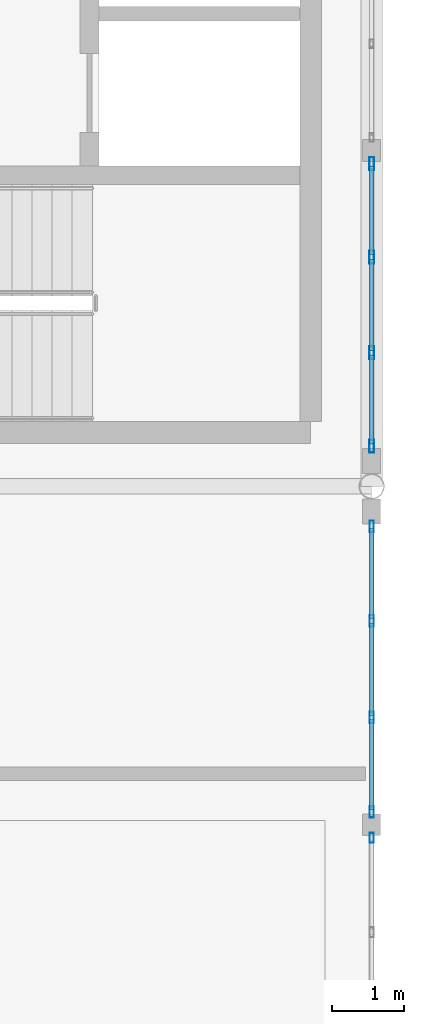
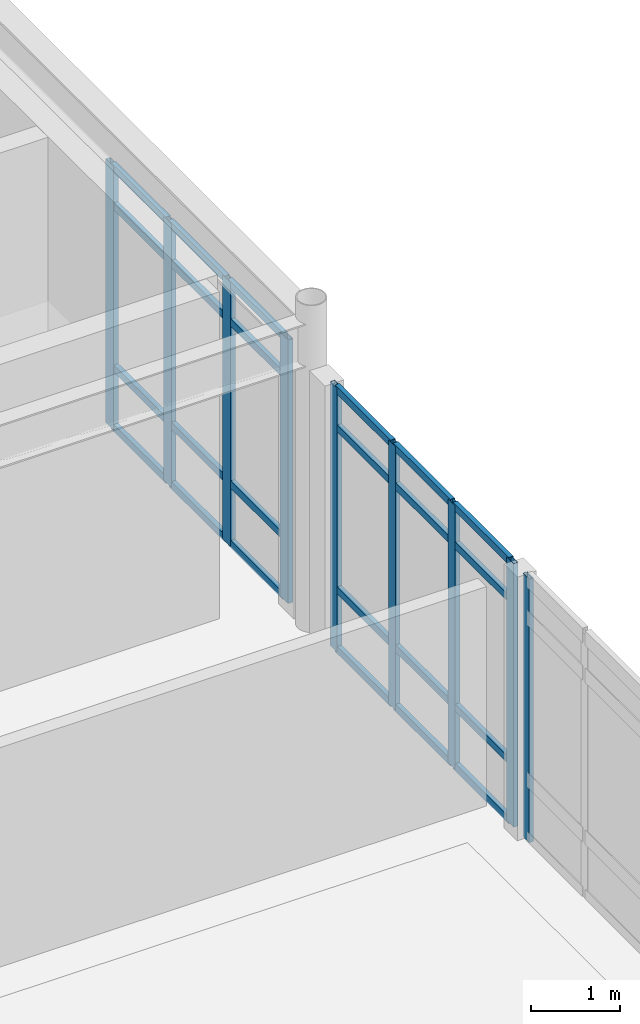
# One storey, part 38 of 55: 33 members, 3 elements without a shape of their own.
"""IFC4 building model written with IfcOpenShell, lengths in metres."""

from ifc_helpers import new_model, si_unit, direction, frame, origin, origin_2d, place, context, subcontext, project, spatial, hollow_rectangle, extrude, material, layer, layer_set, material_profile, profile_set, type_object, element, aggregate, save


model = new_model("IFC4")

# Units and contexts
model_context = context("Model", 3, precision=1e-05, world=origin(), true_north=direction((0.0, 1.0)))
body_context = subcontext(model_context, "Body", "Model", "MODEL_VIEW")
ifc_project = project(units=[si_unit("LENGTHUNIT", "METRE"), si_unit("AREAUNIT", "SQUARE_METRE"), si_unit("VOLUMEUNIT", "CUBIC_METRE"), si_unit("PLANEANGLEUNIT", "RADIAN"), si_unit("MASSUNIT", "GRAM", prefix="KILO")], contexts=[model_context])

# Site, building, storey
site_placement = place(None, origin())
site = spatial("IfcSite", under=ifc_project, at=site_placement, CompositionType="ELEMENT")
building_placement = place(site_placement, origin())
building = spatial("IfcBuilding", under=site, at=building_placement, Name="Fikremerkos Civic Library", CompositionType="ELEMENT")
storey_placement = place(building_placement, frame((0.0, 0.0, 18.89990234375)))
storey = spatial("IfcBuildingStorey", under=building, at=storey_placement, Name="L04", CompositionType="ELEMENT", Elevation=18.89990234375)

# Curtain wall, members
ifc_material = material(Name="Anodized aluminium Frame", Category="aluminium")
ifc_layer_1 = layer(ifc_material, 0.159912109375, Name="Anodized aluminium Frame")
ifc_layer_set_1 = layer_set([ifc_layer_1], Name="Anodized aluminium Frame")
curtain_wall_type_1 = type_object("IfcCurtainWallType", Name="Unitised curtain wall CW-13 3700x3200", PredefinedType="USERDEFINED", material=ifc_layer_set_1)
curtain_wall_1_placement = place(storey_placement, origin())
curtain_wall_1 = element("IfcCurtainWall", 1, at=curtain_wall_1_placement, inside=storey, type_object=curtain_wall_type_1, Name="Unitised curtain wall CW-13 L04 #211", ObjectType="UNITISED CURTAIN WALL", PredefinedType="USERDEFINED")
ifc_material_profile_1 = material_profile(ifc_material, hollow_rectangle(XDim=0.06494140625, YDim=0.179931640625, WallThickness=0.00439453125, at=origin_2d()), Name="ALU 180x65x4.5")
ifc_profile_set_1 = profile_set([ifc_material_profile_1], Name="Anodized aluminium Frame")
member_type_1 = type_object("IfcMemberType", Name="Curtain mullion CWM-01 ALU 180x65x4.5", PredefinedType="MULLION", material=ifc_profile_set_1)
member_1_placement = place(storey_placement, frame((113.699951171875, 26.093994140625, 0.0), z_axis=(0.0, 0.0, 1.0), x_axis=(1.0, 0.0, 0.0)))
member_1 = element("IfcMember", 2, at=member_1_placement, type_object=member_type_1, Name="CW-13 mullion 1", PredefinedType="MULLION", context=body_context, shape_type="SweptSolid", body=[
    extrude(hollow_rectangle(XDim=0.06494140625, YDim=0.179931640625, WallThickness=0.00439453125, at=origin_2d()), origin(), (0.0, 0.0, 1.0), 3.630126953125),
])
member_2_placement = place(storey_placement, frame((113.699951171875, 24.79296875, 0.0), z_axis=(0.0, 0.0, 1.0), x_axis=(1.0, 0.0, 0.0)))
member_2 = element("IfcMember", 3, at=member_2_placement, type_object=member_type_1, Name="CW-13 mullion 2", PredefinedType="MULLION", context=body_context, shape_type="SweptSolid", body=[
    extrude(hollow_rectangle(XDim=0.06494140625, YDim=0.179931640625, WallThickness=0.00439453125, at=origin_2d()), origin(), (0.0, 0.0, 1.0), 3.630126953125),
])
member_3_placement = place(storey_placement, frame((113.699951171875, 23.459228515625, 0.0), z_axis=(0.0, 0.0, 1.0), x_axis=(1.0, 0.0, 0.0)))
member_3 = element("IfcMember", 4, at=member_3_placement, type_object=member_type_1, Name="CW-13 mullion 3", PredefinedType="MULLION", context=body_context, shape_type="SweptSolid", body=[
    extrude(hollow_rectangle(XDim=0.06494140625, YDim=0.179931640625, WallThickness=0.00439453125, at=origin_2d()), origin(), (0.0, 0.0, 1.0), 3.630126953125),
])
member_4_placement = place(storey_placement, frame((113.699951171875, 22.158203125, 0.0), z_axis=(0.0, 0.0, 1.0), x_axis=(1.0, 0.0, 0.0)))
member_4 = element("IfcMember", 5, at=member_4_placement, type_object=member_type_1, Name="CW-13 mullion 4", PredefinedType="MULLION", context=body_context, shape_type="SweptSolid", body=[
    extrude(hollow_rectangle(XDim=0.06494140625, YDim=0.179931640625, WallThickness=0.00439453125, at=origin_2d()), origin(), (0.0, 0.0, 1.0), 3.630126953125),
])

ifc_layer_2 = layer(ifc_material, 0.159912109375, Name="Anodized aluminium Frame")
ifc_layer_set_2 = layer_set([ifc_layer_2], Name="Anodized aluminium Frame")
curtain_wall_type_2 = type_object("IfcCurtainWallType", Name="Unitised curtain wall CW-14 4100x3200", PredefinedType="USERDEFINED", material=ifc_layer_set_2)
curtain_wall_2_placement = place(storey_placement, origin())
curtain_wall_2 = element("IfcCurtainWall", 6, at=curtain_wall_2_placement, inside=storey, type_object=curtain_wall_type_2, Name="Unitised curtain wall CW-14 L04 #212", ObjectType="UNITISED CURTAIN WALL", PredefinedType="USERDEFINED")
ifc_material_profile_2 = material_profile(ifc_material, hollow_rectangle(XDim=0.06005859375, YDim=0.159912109375, WallThickness=0.00390625, at=origin_2d()), Name="ALU 160x60x4")
ifc_profile_set_2 = profile_set([ifc_material_profile_2], Name="Anodized aluminium Frame")
member_type_2 = type_object("IfcMemberType", Name="Curtain mullion CWM-02 ALU 160x60x4", PredefinedType="MULLION", material=ifc_profile_set_2)
member_5_placement = place(storey_placement, frame((113.699951171875, 21.044189453125, 0.0), z_axis=(0.0, 0.0, 1.0), x_axis=(1.0, 0.0, 0.0)))
member_5 = element("IfcMember", 7, at=member_5_placement, type_object=member_type_2, Name="CW-14 mullion 1", PredefinedType="MULLION", context=body_context, shape_type="SweptSolid", body=[
    extrude(hollow_rectangle(XDim=0.06005859375, YDim=0.159912109375, WallThickness=0.00390625, at=origin_2d()), origin(), (0.0, 0.0, 1.0), 3.630126953125),
])
member_6_placement = place(storey_placement, frame((113.699951171875, 19.728271484375, 0.0), z_axis=(0.0, 0.0, 1.0), x_axis=(1.0, 0.0, 0.0)))
member_6 = element("IfcMember", 8, at=member_6_placement, type_object=member_type_2, Name="CW-14 mullion 2", PredefinedType="MULLION", context=body_context, shape_type="SweptSolid", body=[
    extrude(hollow_rectangle(XDim=0.06005859375, YDim=0.159912109375, WallThickness=0.00390625, at=origin_2d()), origin(), (0.0, 0.0, 1.0), 3.630126953125),
])
member_7_placement = place(storey_placement, frame((113.699951171875, 18.382080078125, 0.0), z_axis=(0.0, 0.0, 1.0), x_axis=(1.0, 0.0, 0.0)))
member_7 = element("IfcMember", 9, at=member_7_placement, type_object=member_type_2, Name="CW-14 mullion 3", PredefinedType="MULLION", context=body_context, shape_type="SweptSolid", body=[
    extrude(hollow_rectangle(XDim=0.06005859375, YDim=0.159912109375, WallThickness=0.00390625, at=origin_2d()), origin(), (0.0, 0.0, 1.0), 3.630126953125),
])
member_8_placement = place(storey_placement, frame((113.699951171875, 17.066162109375, 0.0), z_axis=(0.0, 0.0, 1.0), x_axis=(1.0, 0.0, 0.0)))
member_8 = element("IfcMember", 10, at=member_8_placement, type_object=member_type_2, Name="CW-14 mullion 4", PredefinedType="MULLION", context=body_context, shape_type="SweptSolid", body=[
    extrude(hollow_rectangle(XDim=0.06005859375, YDim=0.159912109375, WallThickness=0.00390625, at=origin_2d()), origin(), (0.0, 0.0, 1.0), 3.630126953125),
])

# Curtain wall, member
ifc_layer_3 = layer(ifc_material, 0.159912109375, Name="Anodized aluminium Frame")
ifc_layer_set_3 = layer_set([ifc_layer_3], Name="Anodized aluminium Frame")
curtain_wall_type_3 = type_object("IfcCurtainWallType", Name="Unitised curtain wall CW-15 2900x3600", PredefinedType="USERDEFINED", material=ifc_layer_set_3)
curtain_wall_3_placement = place(storey_placement, origin())
curtain_wall_3 = element("IfcCurtainWall", 11, at=curtain_wall_3_placement, inside=storey, type_object=curtain_wall_type_3, Name="Unitised curtain wall CW-15 L04 #213", ObjectType="UNITISED CURTAIN WALL", PredefinedType="USERDEFINED")
ifc_material_profile_3 = material_profile(ifc_material, hollow_rectangle(XDim=0.06005859375, YDim=0.139892578125, WallThickness=0.00390625, at=origin_2d()), Name="ALU 140x60x4")
ifc_profile_set_3 = profile_set([ifc_material_profile_3], Name="Anodized aluminium Frame")
member_type_3 = type_object("IfcMemberType", Name="Curtain mullion CWM-03 ALU 140x60x4", PredefinedType="MULLION", material=ifc_profile_set_3)
member_9_placement = place(storey_placement, frame((113.699951171875, 16.7060546875, 0.0), z_axis=(0.0, 0.0, 1.0), x_axis=(1.0, 0.0, 0.0)))
member_9 = element("IfcMember", 12, at=member_9_placement, type_object=member_type_3, Name="CW-15 mullion 1", PredefinedType="MULLION", context=body_context, shape_type="SweptSolid", body=[
    extrude(hollow_rectangle(XDim=0.06005859375, YDim=0.139892578125, WallThickness=0.00390625, at=origin_2d()), origin(), (0.0, 0.0, 1.0), 3.630126953125),
])
aggregate(curtain_wall_3, [member_9])

# Member
ifc_material_profile_4 = material_profile(ifc_material, hollow_rectangle(XDim=0.06005859375, YDim=0.10009765625, WallThickness=0.00390625, at=origin_2d()), Name="ALU 100x60x4")
ifc_profile_set_4 = profile_set([ifc_material_profile_4], Name="Anodized aluminium Frame")
member_type_4 = type_object("IfcMemberType", Name="Curtain transom CWT-03 ALU 100x60x4", PredefinedType="USERDEFINED", material=ifc_profile_set_4)
member_10_placement = place(storey_placement, frame((113.699951171875, 26.061279296875, 0.030029296875), z_axis=(0.0, -1.0, 0.0), x_axis=(1.0, 0.0, 0.0)))
member_10 = element("IfcMember", 13, at=member_10_placement, type_object=member_type_4, Name="CW-13 transom 1.1", ObjectType="TRANSOM", PredefinedType="USERDEFINED", context=body_context, shape_type="SweptSolid", body=[
    extrude(hollow_rectangle(XDim=0.06005859375, YDim=0.10009765625, WallThickness=0.00390625, at=origin_2d()), origin(), (0.0, 0.0, 1.0), 1.23583984375),
])

member_11_placement = place(storey_placement, frame((113.699951171875, 26.061279296875, 0.85009765625), z_axis=(0.0, -1.0, 0.0), x_axis=(1.0, 0.0, 0.0)))
member_11 = element("IfcMember", 14, at=member_11_placement, type_object=member_type_4, Name="CW-13 transom 1.2", ObjectType="TRANSOM", PredefinedType="USERDEFINED", context=body_context, shape_type="SweptSolid", body=[
    extrude(hollow_rectangle(XDim=0.06005859375, YDim=0.10009765625, WallThickness=0.00390625, at=origin_2d()), origin(), (0.0, 0.0, 1.0), 1.23583984375),
])

member_12_placement = place(storey_placement, frame((113.699951171875, 26.061279296875, 3.080078125), z_axis=(0.0, -1.0, 0.0), x_axis=(1.0, 0.0, 0.0)))
member_12 = element("IfcMember", 15, at=member_12_placement, type_object=member_type_4, Name="CW-13 transom 1.3", ObjectType="TRANSOM", PredefinedType="USERDEFINED", context=body_context, shape_type="SweptSolid", body=[
    extrude(hollow_rectangle(XDim=0.06005859375, YDim=0.10009765625, WallThickness=0.00390625, at=origin_2d()), origin(), (0.0, 0.0, 1.0), 1.23583984375),
])

member_13_placement = place(storey_placement, frame((113.699951171875, 26.061279296875, 3.60009765625), z_axis=(0.0, -1.0, 0.0), x_axis=(1.0, 0.0, 0.0)))
member_13 = element("IfcMember", 16, at=member_13_placement, type_object=member_type_4, Name="CW-13 transom 1.4", ObjectType="TRANSOM", PredefinedType="USERDEFINED", context=body_context, shape_type="SweptSolid", body=[
    extrude(hollow_rectangle(XDim=0.06005859375, YDim=0.10009765625, WallThickness=0.00390625, at=origin_2d()), origin(), (0.0, 0.0, 1.0), 1.23583984375),
])

member_14_placement = place(storey_placement, frame((113.699951171875, 24.76025390625, 0.030029296875), z_axis=(0.0, -1.0, 0.0), x_axis=(1.0, 0.0, 0.0)))
member_14 = element("IfcMember", 17, at=member_14_placement, type_object=member_type_4, Name="CW-13 transom 2.1", ObjectType="TRANSOM", PredefinedType="USERDEFINED", context=body_context, shape_type="SweptSolid", body=[
    extrude(hollow_rectangle(XDim=0.06005859375, YDim=0.10009765625, WallThickness=0.00390625, at=origin_2d()), origin(), (0.0, 0.0, 1.0), 1.268310546875),
])

member_15_placement = place(storey_placement, frame((113.699951171875, 24.76025390625, 0.85009765625), z_axis=(0.0, -1.0, 0.0), x_axis=(1.0, 0.0, 0.0)))
member_15 = element("IfcMember", 18, at=member_15_placement, type_object=member_type_4, Name="CW-13 transom 2.2", ObjectType="TRANSOM", PredefinedType="USERDEFINED", context=body_context, shape_type="SweptSolid", body=[
    extrude(hollow_rectangle(XDim=0.06005859375, YDim=0.10009765625, WallThickness=0.00390625, at=origin_2d()), origin(), (0.0, 0.0, 1.0), 1.268310546875),
])

member_16_placement = place(storey_placement, frame((113.699951171875, 24.76025390625, 3.080078125), z_axis=(0.0, -1.0, 0.0), x_axis=(1.0, 0.0, 0.0)))
member_16 = element("IfcMember", 19, at=member_16_placement, type_object=member_type_4, Name="CW-13 transom 2.3", ObjectType="TRANSOM", PredefinedType="USERDEFINED", context=body_context, shape_type="SweptSolid", body=[
    extrude(hollow_rectangle(XDim=0.06005859375, YDim=0.10009765625, WallThickness=0.00390625, at=origin_2d()), origin(), (0.0, 0.0, 1.0), 1.268310546875),
])

member_17_placement = place(storey_placement, frame((113.699951171875, 24.76025390625, 3.60009765625), z_axis=(0.0, -1.0, 0.0), x_axis=(1.0, 0.0, 0.0)))
member_17 = element("IfcMember", 20, at=member_17_placement, type_object=member_type_4, Name="CW-13 transom 2.4", ObjectType="TRANSOM", PredefinedType="USERDEFINED", context=body_context, shape_type="SweptSolid", body=[
    extrude(hollow_rectangle(XDim=0.06005859375, YDim=0.10009765625, WallThickness=0.00390625, at=origin_2d()), origin(), (0.0, 0.0, 1.0), 1.268310546875),
])

member_18_placement = place(storey_placement, frame((113.699951171875, 23.4267578125, 0.030029296875), z_axis=(0.0, -1.0, 0.0), x_axis=(1.0, 0.0, 0.0)))
member_18 = element("IfcMember", 21, at=member_18_placement, type_object=member_type_4, Name="CW-13 transom 3.1", ObjectType="TRANSOM", PredefinedType="USERDEFINED", context=body_context, shape_type="SweptSolid", body=[
    extrude(hollow_rectangle(XDim=0.06005859375, YDim=0.10009765625, WallThickness=0.00390625, at=origin_2d()), origin(), (0.0, 0.0, 1.0), 1.23583984375),
])

member_19_placement = place(storey_placement, frame((113.699951171875, 23.4267578125, 0.85009765625), z_axis=(0.0, -1.0, 0.0), x_axis=(1.0, 0.0, 0.0)))
member_19 = element("IfcMember", 22, at=member_19_placement, type_object=member_type_4, Name="CW-13 transom 3.2", ObjectType="TRANSOM", PredefinedType="USERDEFINED", context=body_context, shape_type="SweptSolid", body=[
    extrude(hollow_rectangle(XDim=0.06005859375, YDim=0.10009765625, WallThickness=0.00390625, at=origin_2d()), origin(), (0.0, 0.0, 1.0), 1.23583984375),
])

member_20_placement = place(storey_placement, frame((113.699951171875, 23.4267578125, 3.080078125), z_axis=(0.0, -1.0, 0.0), x_axis=(1.0, 0.0, 0.0)))
member_20 = element("IfcMember", 23, at=member_20_placement, type_object=member_type_4, Name="CW-13 transom 3.3", ObjectType="TRANSOM", PredefinedType="USERDEFINED", context=body_context, shape_type="SweptSolid", body=[
    extrude(hollow_rectangle(XDim=0.06005859375, YDim=0.10009765625, WallThickness=0.00390625, at=origin_2d()), origin(), (0.0, 0.0, 1.0), 1.23583984375),
])

member_21_placement = place(storey_placement, frame((113.699951171875, 23.4267578125, 3.60009765625), z_axis=(0.0, -1.0, 0.0), x_axis=(1.0, 0.0, 0.0)))
member_21 = element("IfcMember", 24, at=member_21_placement, type_object=member_type_4, Name="CW-13 transom 3.4", ObjectType="TRANSOM", PredefinedType="USERDEFINED", context=body_context, shape_type="SweptSolid", body=[
    extrude(hollow_rectangle(XDim=0.06005859375, YDim=0.10009765625, WallThickness=0.00390625, at=origin_2d()), origin(), (0.0, 0.0, 1.0), 1.23583984375),
])

aggregate(curtain_wall_1, [member_1, member_2, member_3, member_4, member_10, member_11, member_12, member_13, member_14, member_15, member_16, member_17, member_18, member_19, member_20, member_21])

member_22_placement = place(storey_placement, frame((113.699951171875, 21.01416015625, 0.030029296875), z_axis=(0.0, -1.0, 0.0), x_axis=(1.0, 0.0, 0.0)))
member_22 = element("IfcMember", 25, at=member_22_placement, type_object=member_type_4, Name="CW-14 transom 1.1", ObjectType="TRANSOM", PredefinedType="USERDEFINED", context=body_context, shape_type="SweptSolid", body=[
    extrude(hollow_rectangle(XDim=0.06005859375, YDim=0.10009765625, WallThickness=0.00390625, at=origin_2d()), origin(), (0.0, 0.0, 1.0), 1.256103515625),
])

member_23_placement = place(storey_placement, frame((113.699951171875, 21.01416015625, 0.85009765625), z_axis=(0.0, -1.0, 0.0), x_axis=(1.0, 0.0, 0.0)))
member_23 = element("IfcMember", 26, at=member_23_placement, type_object=member_type_4, Name="CW-14 transom 1.2", ObjectType="TRANSOM", PredefinedType="USERDEFINED", context=body_context, shape_type="SweptSolid", body=[
    extrude(hollow_rectangle(XDim=0.06005859375, YDim=0.10009765625, WallThickness=0.00390625, at=origin_2d()), origin(), (0.0, 0.0, 1.0), 1.256103515625),
])

member_24_placement = place(storey_placement, frame((113.699951171875, 21.01416015625, 3.080078125), z_axis=(0.0, -1.0, 0.0), x_axis=(1.0, 0.0, 0.0)))
member_24 = element("IfcMember", 27, at=member_24_placement, type_object=member_type_4, Name="CW-14 transom 1.3", ObjectType="TRANSOM", PredefinedType="USERDEFINED", context=body_context, shape_type="SweptSolid", body=[
    extrude(hollow_rectangle(XDim=0.06005859375, YDim=0.10009765625, WallThickness=0.00390625, at=origin_2d()), origin(), (0.0, 0.0, 1.0), 1.256103515625),
])

member_25_placement = place(storey_placement, frame((113.699951171875, 21.01416015625, 3.60009765625), z_axis=(0.0, -1.0, 0.0), x_axis=(1.0, 0.0, 0.0)))
member_25 = element("IfcMember", 28, at=member_25_placement, type_object=member_type_4, Name="CW-14 transom 1.4", ObjectType="TRANSOM", PredefinedType="USERDEFINED", context=body_context, shape_type="SweptSolid", body=[
    extrude(hollow_rectangle(XDim=0.06005859375, YDim=0.10009765625, WallThickness=0.00390625, at=origin_2d()), origin(), (0.0, 0.0, 1.0), 1.256103515625),
])

member_26_placement = place(storey_placement, frame((113.699951171875, 19.6982421875, 0.030029296875), z_axis=(0.0, -1.0, 0.0), x_axis=(1.0, 0.0, 0.0)))
member_26 = element("IfcMember", 29, at=member_26_placement, type_object=member_type_4, Name="CW-14 transom 2.1", ObjectType="TRANSOM", PredefinedType="USERDEFINED", context=body_context, shape_type="SweptSolid", body=[
    extrude(hollow_rectangle(XDim=0.06005859375, YDim=0.10009765625, WallThickness=0.00390625, at=origin_2d()), origin(), (0.0, 0.0, 1.0), 1.2861328125),
])

member_27_placement = place(storey_placement, frame((113.699951171875, 19.6982421875, 0.85009765625), z_axis=(0.0, -1.0, 0.0), x_axis=(1.0, 0.0, 0.0)))
member_27 = element("IfcMember", 30, at=member_27_placement, type_object=member_type_4, Name="CW-14 transom 2.2", ObjectType="TRANSOM", PredefinedType="USERDEFINED", context=body_context, shape_type="SweptSolid", body=[
    extrude(hollow_rectangle(XDim=0.06005859375, YDim=0.10009765625, WallThickness=0.00390625, at=origin_2d()), origin(), (0.0, 0.0, 1.0), 1.2861328125),
])

member_28_placement = place(storey_placement, frame((113.699951171875, 19.6982421875, 3.080078125), z_axis=(0.0, -1.0, 0.0), x_axis=(1.0, 0.0, 0.0)))
member_28 = element("IfcMember", 31, at=member_28_placement, type_object=member_type_4, Name="CW-14 transom 2.3", ObjectType="TRANSOM", PredefinedType="USERDEFINED", context=body_context, shape_type="SweptSolid", body=[
    extrude(hollow_rectangle(XDim=0.06005859375, YDim=0.10009765625, WallThickness=0.00390625, at=origin_2d()), origin(), (0.0, 0.0, 1.0), 1.2861328125),
])

member_29_placement = place(storey_placement, frame((113.699951171875, 19.6982421875, 3.60009765625), z_axis=(0.0, -1.0, 0.0), x_axis=(1.0, 0.0, 0.0)))
member_29 = element("IfcMember", 32, at=member_29_placement, type_object=member_type_4, Name="CW-14 transom 2.4", ObjectType="TRANSOM", PredefinedType="USERDEFINED", context=body_context, shape_type="SweptSolid", body=[
    extrude(hollow_rectangle(XDim=0.06005859375, YDim=0.10009765625, WallThickness=0.00390625, at=origin_2d()), origin(), (0.0, 0.0, 1.0), 1.2861328125),
])

member_30_placement = place(storey_placement, frame((113.699951171875, 18.35205078125, 0.030029296875), z_axis=(0.0, -1.0, 0.0), x_axis=(1.0, 0.0, 0.0)))
member_30 = element("IfcMember", 33, at=member_30_placement, type_object=member_type_4, Name="CW-14 transom 3.1", ObjectType="TRANSOM", PredefinedType="USERDEFINED", context=body_context, shape_type="SweptSolid", body=[
    extrude(hollow_rectangle(XDim=0.06005859375, YDim=0.10009765625, WallThickness=0.00390625, at=origin_2d()), origin(), (0.0, 0.0, 1.0), 1.255859375),
])

member_31_placement = place(storey_placement, frame((113.699951171875, 18.35205078125, 0.85009765625), z_axis=(0.0, -1.0, 0.0), x_axis=(1.0, 0.0, 0.0)))
member_31 = element("IfcMember", 34, at=member_31_placement, type_object=member_type_4, Name="CW-14 transom 3.2", ObjectType="TRANSOM", PredefinedType="USERDEFINED", context=body_context, shape_type="SweptSolid", body=[
    extrude(hollow_rectangle(XDim=0.06005859375, YDim=0.10009765625, WallThickness=0.00390625, at=origin_2d()), origin(), (0.0, 0.0, 1.0), 1.255859375),
])

member_32_placement = place(storey_placement, frame((113.699951171875, 18.35205078125, 3.080078125), z_axis=(0.0, -1.0, 0.0), x_axis=(1.0, 0.0, 0.0)))
member_32 = element("IfcMember", 35, at=member_32_placement, type_object=member_type_4, Name="CW-14 transom 3.3", ObjectType="TRANSOM", PredefinedType="USERDEFINED", context=body_context, shape_type="SweptSolid", body=[
    extrude(hollow_rectangle(XDim=0.06005859375, YDim=0.10009765625, WallThickness=0.00390625, at=origin_2d()), origin(), (0.0, 0.0, 1.0), 1.255859375),
])

member_33_placement = place(storey_placement, frame((113.699951171875, 18.35205078125, 3.60009765625), z_axis=(0.0, -1.0, 0.0), x_axis=(1.0, 0.0, 0.0)))
member_33 = element("IfcMember", 36, at=member_33_placement, type_object=member_type_4, Name="CW-14 transom 3.4", ObjectType="TRANSOM", PredefinedType="USERDEFINED", context=body_context, shape_type="SweptSolid", body=[
    extrude(hollow_rectangle(XDim=0.06005859375, YDim=0.10009765625, WallThickness=0.00390625, at=origin_2d()), origin(), (0.0, 0.0, 1.0), 1.255859375),
])

aggregate(curtain_wall_2, [member_5, member_6, member_7, member_8, member_22, member_23, member_24, member_25, member_26, member_27, member_28, member_29, member_30, member_31, member_32, member_33])

save(model, "model.ifc")
